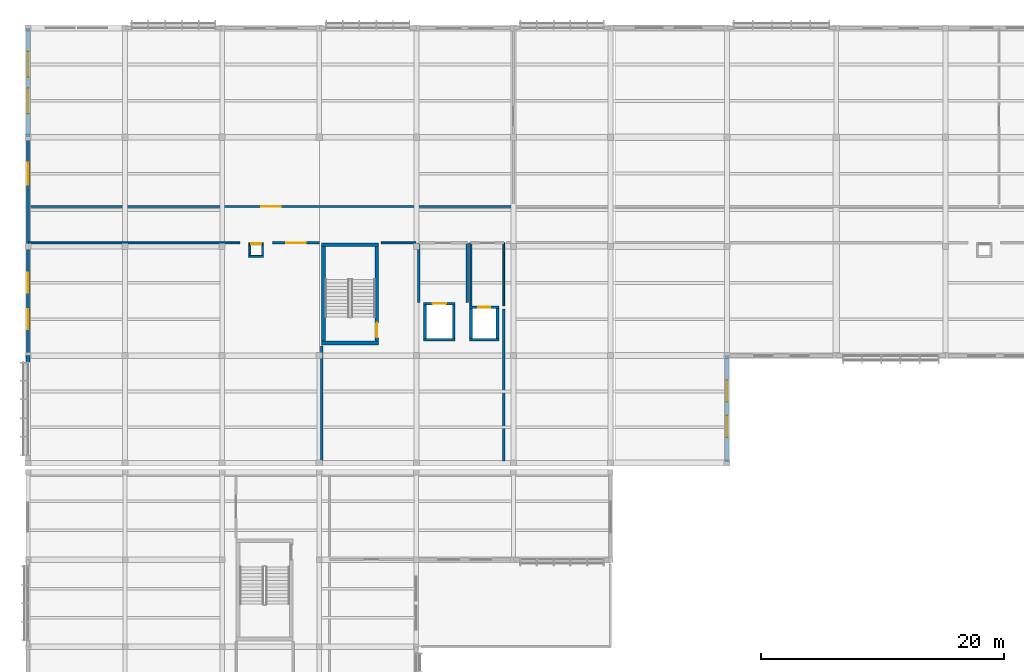
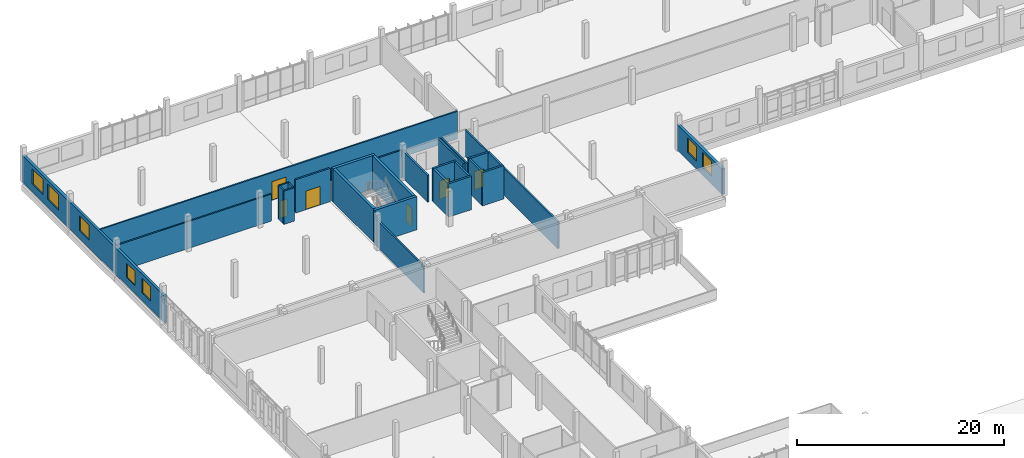
# One storey, part 167 of 182: 31 walls, 7 windows, 6 doors, 13 openings.
"""IFC4 building model written with IfcOpenShell, lengths in metres."""

from ifc_helpers import new_model, si_unit, direction, frame, frame_2d, origin, place, context, subcontext, project, spatial, rectangle, extrude, material, layer, layer_set, type_object, element, fill, save


model = new_model("IFC4")

# Units and contexts
model_context = context("Model", 3, precision=1e-05, world=origin(), true_north=direction((0.0, 1.0)))
body_context = subcontext(model_context, "Body", "Model", "MODEL_VIEW")
ifc_project = project(units=[si_unit("LENGTHUNIT", "METRE"), si_unit("AREAUNIT", "SQUARE_METRE"), si_unit("VOLUMEUNIT", "CUBIC_METRE"), si_unit("PLANEANGLEUNIT", "RADIAN"), si_unit("MASSUNIT", "GRAM", prefix="KILO")], contexts=[model_context])

# Site, building, storey
site_placement = place(None, origin())
site = spatial("IfcSite", under=ifc_project, at=site_placement, CompositionType="ELEMENT")
building_placement = place(site_placement, origin())
building = spatial("IfcBuilding", under=site, at=building_placement, Name="Chiffa Square Polytechnic", CompositionType="ELEMENT")
storey_placement = place(building_placement, frame((0.0, 0.0, 9.60009765625)))
storey = spatial("IfcBuildingStorey", under=building, at=storey_placement, Name="L02", CompositionType="ELEMENT", Elevation=9.60009765625)

# Walls
ifc_material_1 = material(Name="Concrete C40/50", Category="concrete")
ifc_layer_1 = layer(ifc_material_1, 0.300048828125, Name="Concrete C40/50")
ifc_layer_set_1 = layer_set([ifc_layer_1], Name="Concrete C40/50")
wall_type_1 = type_object("IfcWallType", Name="WL-CORE-300", PredefinedType="SHEAR", material=ifc_layer_set_1)
for number, where, z_axis, x_axis, name in (
    (1, (24.199951171875, 104.85009765625, 0.0), (0.0, 0.0, 1.0), (1.0, 0.0, 0.0), "Core or enclosure wall WC-CORE-V5A-L02-SOUTH"),
    (2, (24.199951171875, 112.949951171875, 0.0), (0.0, 0.0, 1.0), (1.0, 0.0, 0.0), "Core or enclosure wall WC-CORE-V5A-L02-NORTH"),
):
    element("IfcWall", number, at=place(storey_placement, frame(where, z_axis=z_axis, x_axis=x_axis)), inside=storey, type_object=wall_type_1, Name=name, PredefinedType="SHEAR", context=body_context, shape_type="SweptSolid", body=[
        extrude(rectangle(XDim=4.699951171875, YDim=0.300048828125, at=frame_2d((2.35009765625, 0.0))), origin(), (0.0, 0.0, 1.0), 3.93994140625),
    ])
wall_1_placement = place(storey_placement, frame((24.35009765625, 105.0, 0.0), z_axis=(0.0, 0.0, 1.0), x_axis=(0.0, 1.0, 0.0)))
element("IfcWall", 3, at=wall_1_placement, inside=storey, type_object=wall_type_1, Name="Core or enclosure wall WC-CORE-V5A-L02-WEST", PredefinedType="SHEAR", context=body_context, shape_type="SweptSolid", body=[
    extrude(rectangle(XDim=7.800048828125, YDim=0.300048828125, at=frame_2d((3.89990234375, 0.0))), origin(), (0.0, 0.0, 1.0), 3.93994140625),
])

# Wall, opening, door
wall_2_placement = place(storey_placement, frame((28.75, 105.0, 0.0), z_axis=(0.0, 0.0, 1.0), x_axis=(0.0, 1.0, 0.0)))
wall_2 = element("IfcWall", 4, at=wall_2_placement, inside=storey, type_object=wall_type_1, Name="Core or enclosure wall WC-CORE-V5A-L02-EAST", PredefinedType="SHEAR", context=body_context, shape_type="SweptSolid", body=[
    extrude(rectangle(XDim=7.800048828125, YDim=0.300048828125, at=frame_2d((3.89990234375, 0.0))), origin(), (0.0, 0.0, 1.0), 3.93994140625),
])
opening_1_placement = place(wall_2_placement, frame((0.300048828125, 0.0, 0.0)))
opening_1 = element("IfcOpeningElement", 5, at=opening_1_placement, cuts=wall_2, Name="Opening DS-L02-034", PredefinedType="OPENING", context=body_context, shape_type="SweptSolid", body=[
    extrude(rectangle(XDim=1.199951171875, YDim=2.14990234375, at=frame_2d((0.60009765625, 1.074951171875))), frame((0.0, 0.16015625, 0.0), z_axis=(0.0, -1.0, 0.0), x_axis=(1.0, 0.0, 0.0)), (0.0, 0.0, 1.0), 0.320068359375),
])
ifc_material_2 = material(Name="Fire-rated painted steel leaf", Category="steel")
door_type_1 = type_object("IfcDoorType", Name="DR-STAIR-1200", OperationType="NOTDEFINED", PredefinedType="DOOR", material=ifc_material_2)
door_1_placement = place(opening_1_placement, origin())
door_1 = element("IfcDoor", 6, at=door_1_placement, inside=storey, type_object=door_type_1, Name="Enclosure door DS-L02-034", OperationType="SINGLE_SWING_RIGHT", OverallHeight=2.14990234375, OverallWidth=1.199951171875, PredefinedType="DOOR", context=body_context, shape_type="SweptSolid", body=[
    extrude(rectangle(XDim=1.199951171875, YDim=2.14990234375, at=frame_2d((0.60009765625, 1.074951171875))), frame((0.0, 0.02490234375, 0.0), z_axis=(0.0, -1.0, 0.0), x_axis=(1.0, 0.0, 0.0)), (0.0, 0.0, 1.0), 0.050048828125),
])
fill(opening_1, door_1)

# Wall, opening, window
ifc_material_3 = material(Name="Precast concrete C40/50", Category="concrete")
ifc_layer_2 = layer(ifc_material_3, 0.260009765625, Name="Precast concrete C40/50")
ifc_layer_set_2 = layer_set([ifc_layer_2], Name="Precast concrete C40/50")
wall_type_2 = type_object("IfcWallType", Name="WL-EXT-PC260", PredefinedType="SOLIDWALL", material=ifc_layer_set_2)
wall_3_placement = place(storey_placement, frame((0.0, 121.800048828125, 0.0), z_axis=(0.0, 0.0, 1.0), x_axis=(0.0, -1.0, 0.0)))
wall_3 = element("IfcWall", 7, at=wall_3_placement, inside=storey, type_object=wall_type_2, Name="Exterior wall WE-V5-L02-0325", PredefinedType="SOLIDWALL", context=body_context, shape_type="SweptSolid", body=[
    extrude(rectangle(XDim=9.0, YDim=0.260009765625, at=frame_2d((4.5, 0.0))), origin(), (0.0, 0.0, 1.0), 3.1748046875),
])
opening_2_placement = place(wall_3_placement, frame((2.10009765625, 0.0, 0.949951171875)))
opening_2 = element("IfcOpeningElement", 8, at=opening_2_placement, cuts=wall_3, Name="Opening W-05", PredefinedType="OPENING", context=body_context, shape_type="SweptSolid", body=[
    extrude(rectangle(XDim=1.800048828125, YDim=1.75, at=frame_2d((0.89990234375, 0.875))), frame((0.0, 0.14013671875, 0.0), z_axis=(0.0, -1.0, 0.0), x_axis=(1.0, 0.0, 0.0)), (0.0, 0.0, 1.0), 0.280029296875),
])
ifc_material_4 = material(Name="Double glazing in thermally broken aluminium frame", Category="aluminium")
window_type_1 = type_object("IfcWindowType", Name="WIN-LAB-1800X1750", PartitioningType="DOUBLE_PANEL_VERTICAL", PredefinedType="WINDOW", material=ifc_material_4)
window_1_placement = place(opening_2_placement, origin())
window_1 = element("IfcWindow", 9, at=window_1_placement, inside=storey, type_object=window_type_1, Name="Facade window WN-L02-0221", OverallHeight=1.75, OverallWidth=1.800048828125, PartitioningType="DOUBLE_PANEL_VERTICAL", PredefinedType="WINDOW", context=body_context, shape_type="SweptSolid", body=[
    extrude(rectangle(XDim=1.800048828125, YDim=1.75, at=frame_2d((0.89990234375, 0.875))), frame((0.0, 0.030029296875, 0.0), z_axis=(0.0, -1.0, 0.0), x_axis=(1.0, 0.0, 0.0)), (0.0, 0.0, 1.0), 0.06005859375),
])
fill(opening_2, window_1)

# Wall, openings, windows
ifc_layer_3 = layer(ifc_material_3, 0.280029296875, Name="Precast concrete C40/50")
ifc_layer_set_3 = layer_set([ifc_layer_3], Name="Precast concrete C40/50")
wall_type_3 = type_object("IfcWallType", Name="WL-EXT-PC280", PredefinedType="SOLIDWALL", material=ifc_layer_set_3)
wall_4_placement = place(storey_placement, frame((0.0, 112.800048828125, 0.0), z_axis=(0.0, 0.0, 1.0), x_axis=(0.0, -1.0, 0.0)))
wall_4 = element("IfcWall", 10, at=wall_4_placement, inside=storey, type_object=wall_type_3, Name="Exterior wall WE-V5-L02-0326", PredefinedType="SOLIDWALL", context=body_context, shape_type="SweptSolid", body=[
    extrude(rectangle(XDim=9.0, YDim=0.280029296875, at=frame_2d((4.5, 0.0))), origin(), (0.0, 0.0, 1.0), 3.1748046875),
])
opening_3_placement = place(wall_4_placement, frame((2.175048828125, 0.0, 0.949951171875)))
opening_3 = element("IfcOpeningElement", 11, at=opening_3_placement, cuts=wall_4, Name="Opening W-06", PredefinedType="OPENING", context=body_context, shape_type="SweptSolid", body=[
    extrude(rectangle(XDim=1.64990234375, YDim=1.699951171875, at=frame_2d((0.824951171875, 0.85009765625))), frame((0.0, 0.14990234375, 0.0), z_axis=(0.0, -1.0, 0.0), x_axis=(1.0, 0.0, 0.0)), (0.0, 0.0, 1.0), 0.300048828125),
])
opening_4_placement = place(wall_4_placement, frame((5.175048828125, 0.0, 0.949951171875)))
opening_4 = element("IfcOpeningElement", 12, at=opening_4_placement, cuts=wall_4, Name="Opening W-06", PredefinedType="OPENING", context=body_context, shape_type="SweptSolid", body=[
    extrude(rectangle(XDim=1.64990234375, YDim=1.699951171875, at=frame_2d((0.824951171875, 0.85009765625))), frame((0.0, 0.14990234375, 0.0), z_axis=(0.0, -1.0, 0.0), x_axis=(1.0, 0.0, 0.0)), (0.0, 0.0, 1.0), 0.300048828125),
])
window_type_2 = type_object("IfcWindowType", Name="WIN-LAB-1650X1700", PartitioningType="DOUBLE_PANEL_VERTICAL", PredefinedType="WINDOW", material=ifc_material_4)
window_2_placement = place(opening_3_placement, origin())
window_2 = element("IfcWindow", 13, at=window_2_placement, inside=storey, type_object=window_type_2, Name="Facade window WN-L02-0222", OverallHeight=1.699951171875, OverallWidth=1.64990234375, PartitioningType="DOUBLE_PANEL_VERTICAL", PredefinedType="WINDOW", context=body_context, shape_type="SweptSolid", body=[
    extrude(rectangle(XDim=1.64990234375, YDim=1.699951171875, at=frame_2d((0.824951171875, 0.85009765625))), frame((0.0, 0.030029296875, 0.0), z_axis=(0.0, -1.0, 0.0), x_axis=(1.0, 0.0, 0.0)), (0.0, 0.0, 1.0), 0.06005859375),
])
fill(opening_3, window_2)
window_3_placement = place(opening_4_placement, origin())
window_3 = element("IfcWindow", 14, at=window_3_placement, inside=storey, type_object=window_type_2, Name="Facade window WN-L02-0223", OverallHeight=1.699951171875, OverallWidth=1.64990234375, PartitioningType="DOUBLE_PANEL_VERTICAL", PredefinedType="WINDOW", context=body_context, shape_type="SweptSolid", body=[
    extrude(rectangle(XDim=1.64990234375, YDim=1.699951171875, at=frame_2d((0.824951171875, 0.85009765625))), frame((0.0, 0.030029296875, 0.0), z_axis=(0.0, -1.0, 0.0), x_axis=(1.0, 0.0, 0.0)), (0.0, 0.0, 1.0), 0.06005859375),
])
fill(opening_4, window_3)

ifc_layer_4 = layer(ifc_material_3, 0.320068359375, Name="Precast concrete C40/50")
ifc_layer_set_4 = layer_set([ifc_layer_4], Name="Precast concrete C40/50")
wall_type_4 = type_object("IfcWallType", Name="WL-EXT-PC320", PredefinedType="SOLIDWALL", material=ifc_layer_set_4)
wall_5_placement = place(storey_placement, frame((57.60009765625, 95.050048828125, 0.0), z_axis=(0.0, 0.0, 1.0), x_axis=(0.0, 1.0, 0.0)))
wall_5 = element("IfcWall", 15, at=wall_5_placement, inside=storey, type_object=wall_type_4, Name="Exterior wall WE-V5-L02-0294", PredefinedType="SOLIDWALL", context=body_context, shape_type="SweptSolid", body=[
    extrude(rectangle(XDim=8.75, YDim=0.320068359375, at=frame_2d((4.375, 0.0))), origin(), (0.0, 0.0, 1.0), 3.02490234375),
])
opening_5_placement = place(wall_5_placement, frame((2.01708984375, 0.0, 0.949951171875)))
opening_5 = element("IfcOpeningElement", 16, at=opening_5_placement, cuts=wall_5, Name="Opening W-05", PredefinedType="OPENING", context=body_context, shape_type="SweptSolid", body=[
    extrude(rectangle(XDim=1.800048828125, YDim=1.75, at=frame_2d((0.89990234375, 0.875))), frame((0.0, 0.169921875, 0.0), z_axis=(0.0, -1.0, 0.0), x_axis=(1.0, 0.0, 0.0)), (0.0, 0.0, 1.0), 0.340087890625),
])
opening_6_placement = place(wall_5_placement, frame((4.93310546875, 0.0, 0.949951171875)))
opening_6 = element("IfcOpeningElement", 17, at=opening_6_placement, cuts=wall_5, Name="Opening W-05", PredefinedType="OPENING", context=body_context, shape_type="SweptSolid", body=[
    extrude(rectangle(XDim=1.800048828125, YDim=1.75, at=frame_2d((0.89990234375, 0.875))), frame((0.0, 0.169921875, 0.0), z_axis=(0.0, -1.0, 0.0), x_axis=(1.0, 0.0, 0.0)), (0.0, 0.0, 1.0), 0.340087890625),
])
window_4_placement = place(opening_5_placement, origin())
window_4 = element("IfcWindow", 18, at=window_4_placement, inside=storey, type_object=window_type_1, Name="Facade window WN-L02-0186", OverallHeight=1.75, OverallWidth=1.800048828125, PartitioningType="DOUBLE_PANEL_VERTICAL", PredefinedType="WINDOW", context=body_context, shape_type="SweptSolid", body=[
    extrude(rectangle(XDim=1.800048828125, YDim=1.75, at=frame_2d((0.89990234375, 0.875))), frame((0.0, 0.030029296875, 0.0), z_axis=(0.0, -1.0, 0.0), x_axis=(1.0, 0.0, 0.0)), (0.0, 0.0, 1.0), 0.06005859375),
])
fill(opening_5, window_4)
window_5_placement = place(opening_6_placement, origin())
window_5 = element("IfcWindow", 19, at=window_5_placement, inside=storey, type_object=window_type_1, Name="Facade window WN-L02-0187", OverallHeight=1.75, OverallWidth=1.800048828125, PartitioningType="DOUBLE_PANEL_VERTICAL", PredefinedType="WINDOW", context=body_context, shape_type="SweptSolid", body=[
    extrude(rectangle(XDim=1.800048828125, YDim=1.75, at=frame_2d((0.89990234375, 0.875))), frame((0.0, 0.030029296875, 0.0), z_axis=(0.0, -1.0, 0.0), x_axis=(1.0, 0.0, 0.0)), (0.0, 0.0, 1.0), 0.06005859375),
])
fill(opening_6, window_5)

wall_6_placement = place(storey_placement, frame((0.0, 130.800048828125, 0.0), z_axis=(0.0, 0.0, 1.0), x_axis=(0.0, -1.0, 0.0)))
wall_6 = element("IfcWall", 20, at=wall_6_placement, inside=storey, type_object=wall_type_4, Name="Exterior wall WE-V5-L02-0324", PredefinedType="SOLIDWALL", context=body_context, shape_type="SweptSolid", body=[
    extrude(rectangle(XDim=9.0, YDim=0.320068359375, at=frame_2d((4.5, 0.0))), origin(), (0.0, 0.0, 1.0), 3.1748046875),
])
opening_7_placement = place(wall_6_placement, frame((1.949951171875, 0.0, 0.949951171875)))
opening_7 = element("IfcOpeningElement", 21, at=opening_7_placement, cuts=wall_6, Name="Opening W-03", PredefinedType="OPENING", context=body_context, shape_type="SweptSolid", body=[
    extrude(rectangle(XDim=2.10009765625, YDim=1.800048828125, at=frame_2d((1.050048828125, 0.89990234375))), frame((0.0, 0.169921875, 0.0), z_axis=(0.0, -1.0, 0.0), x_axis=(1.0, 0.0, 0.0)), (0.0, 0.0, 1.0), 0.340087890625),
])
opening_8_placement = place(wall_6_placement, frame((4.949951171875, 0.0, 0.949951171875)))
opening_8 = element("IfcOpeningElement", 22, at=opening_8_placement, cuts=wall_6, Name="Opening W-03", PredefinedType="OPENING", context=body_context, shape_type="SweptSolid", body=[
    extrude(rectangle(XDim=2.10009765625, YDim=1.800048828125, at=frame_2d((1.050048828125, 0.89990234375))), frame((0.0, 0.169921875, 0.0), z_axis=(0.0, -1.0, 0.0), x_axis=(1.0, 0.0, 0.0)), (0.0, 0.0, 1.0), 0.340087890625),
])
window_type_3 = type_object("IfcWindowType", Name="WIN-LAB-2100X1800", PartitioningType="DOUBLE_PANEL_VERTICAL", PredefinedType="WINDOW", material=ifc_material_4)
window_6_placement = place(opening_7_placement, origin())
window_6 = element("IfcWindow", 23, at=window_6_placement, inside=storey, type_object=window_type_3, Name="Facade window WN-L02-0219", OverallHeight=1.800048828125, OverallWidth=2.10009765625, PartitioningType="DOUBLE_PANEL_VERTICAL", PredefinedType="WINDOW", context=body_context, shape_type="SweptSolid", body=[
    extrude(rectangle(XDim=2.10009765625, YDim=1.800048828125, at=frame_2d((1.050048828125, 0.89990234375))), frame((0.0, 0.030029296875, 0.0), z_axis=(0.0, -1.0, 0.0), x_axis=(1.0, 0.0, 0.0)), (0.0, 0.0, 1.0), 0.06005859375),
])
fill(opening_7, window_6)
window_7_placement = place(opening_8_placement, origin())
window_7 = element("IfcWindow", 24, at=window_7_placement, inside=storey, type_object=window_type_3, Name="Facade window WN-L02-0220", OverallHeight=1.800048828125, OverallWidth=2.10009765625, PartitioningType="DOUBLE_PANEL_VERTICAL", PredefinedType="WINDOW", context=body_context, shape_type="SweptSolid", body=[
    extrude(rectangle(XDim=2.10009765625, YDim=1.800048828125, at=frame_2d((1.050048828125, 0.89990234375))), frame((0.0, 0.030029296875, 0.0), z_axis=(0.0, -1.0, 0.0), x_axis=(1.0, 0.0, 0.0)), (0.0, 0.0, 1.0), 0.06005859375),
])
fill(opening_8, window_7)

# Walls
wall_7_placement = place(storey_placement, frame((0.0, 103.800048828125, 0.0), z_axis=(0.0, 0.0, 1.0), x_axis=(0.0, -1.0, 0.0)))
element("IfcWall", 25, at=wall_7_placement, inside=storey, type_object=wall_type_4, Name="Facade column pier V5-L02-0327L", PredefinedType="SOLIDWALL", context=body_context, shape_type="SweptSolid", body=[
    extrude(rectangle(XDim=0.5400390625, YDim=0.320068359375, at=frame_2d((0.27001953125, 0.0))), origin(), (0.0, 0.0, 1.0), 3.1748046875),
])
ifc_material_5 = material(Name="Autoclaved aerated concrete blockwork", Category="masonry")
ifc_layer_5 = layer(ifc_material_5, 0.199951171875, Name="Autoclaved aerated concrete blockwork")
ifc_layer_set_5 = layer_set([ifc_layer_5], Name="Autoclaved aerated concrete blockwork")
wall_type_5 = type_object("IfcWallType", Name="WL-PART-EI120-200", PredefinedType="PARTITIONING", material=ifc_layer_set_5)
for number, where, z_axis, x_axis, name in (
    (26, (32.199951171875, 108.199951171875, 0.0), (0.0, 0.0, 1.0), (0.0, 1.0, 0.0), "Lift lobby rated enclosure WP-LOB-LF-V5-L02-WEST"),
    (27, (36.199951171875, 108.199951171875, 0.0), (0.0, 0.0, 1.0), (0.0, 1.0, 0.0), "Lift lobby rated enclosure WP-LOB-LF-V5-L02-EAST"),
):
    element("IfcWall", number, at=place(storey_placement, frame(where, z_axis=z_axis, x_axis=x_axis)), inside=storey, type_object=wall_type_5, Name=name, PredefinedType="PARTITIONING", context=body_context, shape_type="SweptSolid", body=[
        extrude(rectangle(XDim=4.900146484375, YDim=0.199951171875, at=frame_2d((2.4501953125, 0.0))), origin(), (0.0, 0.0, 1.0), 3.1748046875),
    ])
ifc_material_6 = material(Name="Gypsum board on acoustic steel stud", Category="steel")
ifc_layer_6 = layer(ifc_material_6, 0.159912109375, Name="Gypsum board on acoustic steel stud")
ifc_layer_set_6 = layer_set([ifc_layer_6], Name="Gypsum board on acoustic steel stud")
wall_type_6 = type_object("IfcWallType", Name="WL-PART-EI60-160", PredefinedType="PARTITIONING", material=ifc_layer_set_6)
wall_8_placement = place(storey_placement, frame((18.199951171875, 111.97998046875, 0.0), z_axis=(0.0, 0.0, 1.0), x_axis=(1.0, 0.0, 0.0)))
element("IfcWall", 28, at=wall_8_placement, inside=storey, type_object=wall_type_6, Name="Core or enclosure wall WP-RSR-V5-W-L02-SOUTH", PredefinedType="PARTITIONING", context=body_context, shape_type="SweptSolid", body=[
    extrude(rectangle(XDim=1.199951171875, YDim=0.159912109375, at=frame_2d((0.60009765625, 0.0))), origin(), (0.0, 0.0, 1.0), 3.93994140625),
])

# Wall, opening, door
wall_9_placement = place(storey_placement, frame((18.199951171875, 113.02001953125, 0.0), z_axis=(0.0, 0.0, 1.0), x_axis=(1.0, 0.0, 0.0)))
wall_9 = element("IfcWall", 29, at=wall_9_placement, inside=storey, type_object=wall_type_6, Name="Core or enclosure wall WP-RSR-V5-W-L02-NORTH", PredefinedType="PARTITIONING", context=body_context, shape_type="SweptSolid", body=[
    extrude(rectangle(XDim=1.199951171875, YDim=0.159912109375, at=frame_2d((0.60009765625, 0.0))), origin(), (0.0, 0.0, 1.0), 3.93994140625),
])
opening_9_placement = place(wall_9_placement, frame((0.175048828125, 0.0, 0.0)))
opening_9 = element("IfcOpeningElement", 30, at=opening_9_placement, cuts=wall_9, Name="Opening DI-L02-R04", PredefinedType="OPENING", context=body_context, shape_type="SweptSolid", body=[
    extrude(rectangle(XDim=0.85009765625, YDim=2.02001953125, at=frame_2d((0.425048828125, 1.010009765625))), frame((0.0, 0.08984375, 0.0), z_axis=(0.0, -1.0, 0.0), x_axis=(1.0, 0.0, 0.0)), (0.0, 0.0, 1.0), 0.179931640625),
])
ifc_material_7 = material(Name="Fire-rated steel riser access door", Category="steel")
door_type_2 = type_object("IfcDoorType", Name="DR-RISER-850", OperationType="NOTDEFINED", PredefinedType="DOOR", material=ifc_material_7)
door_2_placement = place(opening_9_placement, origin())
door_2 = element("IfcDoor", 31, at=door_2_placement, inside=storey, type_object=door_type_2, Name="Enclosure door DI-L02-R04", OperationType="SINGLE_SWING_RIGHT", OverallHeight=2.02001953125, OverallWidth=0.85009765625, PredefinedType="DOOR", context=body_context, shape_type="SweptSolid", body=[
    extrude(rectangle(XDim=0.85009765625, YDim=2.02001953125, at=frame_2d((0.425048828125, 1.010009765625))), frame((0.0, 0.02490234375, 0.0), z_axis=(0.0, -1.0, 0.0), x_axis=(1.0, 0.0, 0.0)), (0.0, 0.0, 1.0), 0.050048828125),
])
fill(opening_9, door_2)

# Walls
for number, where, z_axis, x_axis, name in (
    (32, (18.280029296875, 112.06005859375, 0.0), (0.0, 0.0, 1.0), (0.0, 1.0, 0.0), "Core or enclosure wall WP-RSR-V5-W-L02-WEST"),
    (33, (19.320068359375, 112.06005859375, 0.0), (0.0, 0.0, 1.0), (0.0, 1.0, 0.0), "Core or enclosure wall WP-RSR-V5-W-L02-EAST"),
):
    element("IfcWall", number, at=place(storey_placement, frame(where, z_axis=z_axis, x_axis=x_axis)), inside=storey, type_object=wall_type_6, Name=name, PredefinedType="PARTITIONING", context=body_context, shape_type="SweptSolid", body=[
        extrude(rectangle(XDim=0.8798828125, YDim=0.159912109375, at=frame_2d((0.43994140625, 0.0))), origin(), (0.0, 0.0, 1.0), 3.93994140625),
    ])
for number, where, z_axis, x_axis, name in (
    (34, (36.5, 107.89990234375, 0.0), (0.0, 0.0, 1.0), (0.0, 1.0, 0.0), "Lift lobby rated enclosure WP-LOB-LP-V5A-L02-WEST"),
    (35, (39.199951171875, 107.89990234375, 0.0), (0.0, 0.0, 1.0), (0.0, 1.0, 0.0), "Lift lobby rated enclosure WP-LOB-LP-V5A-L02-EAST"),
):
    element("IfcWall", number, at=place(storey_placement, frame(where, z_axis=z_axis, x_axis=x_axis)), inside=storey, type_object=wall_type_6, Name=name, PredefinedType="PARTITIONING", context=body_context, shape_type="SweptSolid", body=[
        extrude(rectangle(XDim=5.2001953125, YDim=0.159912109375, at=frame_2d((2.60009765625, 0.0))), origin(), (0.0, 0.0, 1.0), 3.1748046875),
    ])
wall_10_placement = place(storey_placement, frame((0.054931640625, 113.10009765625, 0.0), z_axis=(0.0, 0.0, 1.0), x_axis=(1.0, 0.0, 0.0)))
element("IfcWall", 36, at=wall_10_placement, inside=storey, type_object=wall_type_6, Name="Interior partition WP-V5-L02-0469", PredefinedType="PARTITIONING", context=body_context, shape_type="SweptSolid", body=[
    extrude(rectangle(XDim=17.399169921875, YDim=0.159912109375, at=frame_2d((8.69970703125, 0.0))), origin(), (0.0, 0.0, 1.0), 3.1748046875),
])

# Wall, opening, door
wall_11_placement = place(storey_placement, frame((0.054931640625, 116.10009765625, 0.0), z_axis=(0.0, 0.0, 1.0), x_axis=(1.0, 0.0, 0.0)))
wall_11 = element("IfcWall", 37, at=wall_11_placement, inside=storey, type_object=wall_type_6, Name="Interior partition WP-V5-L02-0475", PredefinedType="PARTITIONING", context=body_context, shape_type="SweptSolid", body=[
    extrude(rectangle(XDim=39.945068359375, YDim=0.159912109375, at=frame_2d((19.97265625, 0.0))), origin(), (0.0, 0.0, 1.0), 3.27490234375),
])
opening_10_placement = place(wall_11_placement, frame((19.172119140625, 0.0, 0.0)))
opening_10 = element("IfcOpeningElement", 38, at=opening_10_placement, cuts=wall_11, Name="Opening DI-L02-185", PredefinedType="OPENING", context=body_context, shape_type="SweptSolid", body=[
    extrude(rectangle(XDim=1.60009765625, YDim=2.199951171875, at=frame_2d((0.800048828125, 1.10009765625))), frame((0.0, 0.08984375, 0.0), z_axis=(0.0, -1.0, 0.0), x_axis=(1.0, 0.0, 0.0)), (0.0, 0.0, 1.0), 0.179931640625),
])
ifc_material_8 = material(Name="Vision-panel timber laboratory door", Category="wood")
door_type_3 = type_object("IfcDoorType", Name="DR-LAB-DBL-1600", OperationType="DOUBLE_DOOR_SINGLE_SWING", PredefinedType="DOOR", material=ifc_material_8)
door_3_placement = place(opening_10_placement, origin())
door_3 = element("IfcDoor", 39, at=door_3_placement, inside=storey, type_object=door_type_3, Name="Interior room door DI-L02-185", OperationType="DOUBLE_DOOR_SINGLE_SWING", OverallHeight=2.199951171875, OverallWidth=1.60009765625, PredefinedType="DOOR", context=body_context, shape_type="SweptSolid", body=[
    extrude(rectangle(XDim=1.60009765625, YDim=2.199951171875, at=frame_2d((0.800048828125, 1.10009765625))), frame((0.0, 0.02490234375, 0.0), z_axis=(0.0, -1.0, 0.0), x_axis=(1.0, 0.0, 0.0)), (0.0, 0.0, 1.0), 0.050048828125),
])
fill(opening_10, door_3)

# Wall
wall_12_placement = place(storey_placement, frame((29.0869140625, 113.10009765625, 0.0), z_axis=(0.0, 0.0, 1.0), x_axis=(1.0, 0.0, 0.0)))
element("IfcWall", 40, at=wall_12_placement, inside=storey, type_object=wall_type_6, Name="Interior partition WP-V5-L02-0498", PredefinedType="PARTITIONING", context=body_context, shape_type="SweptSolid", body=[
    extrude(rectangle(XDim=2.873046875, YDim=0.159912109375, at=frame_2d((1.4365234375, 0.0))), origin(), (0.0, 0.0, 1.0), 3.27490234375),
])

# Wall, opening, door
ifc_material_9 = material(Name="Gypsum board on twin steel stud", Category="steel")
ifc_layer_7 = layer(ifc_material_9, 0.18505859375, Name="Gypsum board on twin steel stud")
ifc_layer_set_7 = layer_set([ifc_layer_7], Name="Gypsum board on twin steel stud")
wall_type_7 = type_object("IfcWallType", Name="WL-PART-EI90-185", PredefinedType="PARTITIONING", material=ifc_layer_set_7)
wall_13_placement = place(storey_placement, frame((20.14599609375, 113.10009765625, 0.0), z_axis=(0.0, 0.0, 1.0), x_axis=(1.0, 0.0, 0.0)))
wall_13 = element("IfcWall", 41, at=wall_13_placement, inside=storey, type_object=wall_type_7, Name="Interior partition WP-V5-L02-0468", PredefinedType="PARTITIONING", context=body_context, shape_type="SweptSolid", body=[
    extrude(rectangle(XDim=3.866943359375, YDim=0.18505859375, at=frame_2d((1.93359375, 0.0))), origin(), (0.0, 0.0, 1.0), 3.93994140625),
])
opening_11_placement = place(wall_13_placement, frame((1.134033203125, 0.0, 0.0)))
opening_11 = element("IfcOpeningElement", 42, at=opening_11_placement, cuts=wall_13, Name="Opening DI-L02-184", PredefinedType="OPENING", context=body_context, shape_type="SweptSolid", body=[
    extrude(rectangle(XDim=1.60009765625, YDim=2.199951171875, at=frame_2d((0.800048828125, 1.10009765625))), frame((0.0, 0.1025390625, 0.0), z_axis=(0.0, -1.0, 0.0), x_axis=(1.0, 0.0, 0.0)), (0.0, 0.0, 1.0), 0.205078125),
])
door_4_placement = place(opening_11_placement, origin())
door_4 = element("IfcDoor", 43, at=door_4_placement, inside=storey, type_object=door_type_3, Name="Interior room door DI-L02-184", OperationType="DOUBLE_DOOR_SINGLE_SWING", OverallHeight=2.199951171875, OverallWidth=1.60009765625, PredefinedType="DOOR", context=body_context, shape_type="SweptSolid", body=[
    extrude(rectangle(XDim=1.60009765625, YDim=2.199951171875, at=frame_2d((0.800048828125, 1.10009765625))), frame((0.0, 0.02490234375, 0.0), z_axis=(0.0, -1.0, 0.0), x_axis=(1.0, 0.0, 0.0)), (0.0, 0.0, 1.0), 0.050048828125),
])
fill(opening_11, door_4)

# Walls
wall_14_placement = place(storey_placement, frame((24.199951171875, 95.10498046875, 0.0), z_axis=(0.0, 0.0, 1.0), x_axis=(0.0, 1.0, 0.0)))
element("IfcWall", 44, at=wall_14_placement, inside=storey, type_object=wall_type_7, Name="Interior partition WP-V5-L02-0470", PredefinedType="PARTITIONING", context=body_context, shape_type="SweptSolid", body=[
    extrude(rectangle(XDim=9.505126953125, YDim=0.18505859375, at=frame_2d((4.75244140625, 0.0))), origin(), (0.0, 0.0, 1.0), 3.1748046875),
])
wall_15_placement = place(storey_placement, frame((39.199951171875, 95.10498046875, 0.0), z_axis=(0.0, 0.0, 1.0), x_axis=(0.0, 1.0, 0.0)))
element("IfcWall", 45, at=wall_15_placement, inside=storey, type_object=wall_type_7, Name="Interior partition WP-V5-L02-0474", PredefinedType="PARTITIONING", context=body_context, shape_type="SweptSolid", body=[
    extrude(rectangle(XDim=12.554931640625, YDim=0.18505859375, at=frame_2d((6.27734375, 0.0))), origin(), (0.0, 0.0, 1.0), 3.1748046875),
])
ifc_material_10 = material(Name="Concrete C35/45", Category="concrete")
ifc_layer_8 = layer(ifc_material_10, 0.219970703125, Name="Concrete C35/45")
ifc_layer_set_8 = layer_set([ifc_layer_8], Name="Concrete C35/45")
wall_type_8 = type_object("IfcWallType", Name="WL-SHAFT-220", PredefinedType="SHEAR", material=ifc_layer_set_8)
wall_16_placement = place(storey_placement, frame((32.60009765625, 105.110107421875, 0.0), z_axis=(0.0, 0.0, 1.0), x_axis=(1.0, 0.0, 0.0)))
element("IfcWall", 46, at=wall_16_placement, inside=storey, type_object=wall_type_8, Name="Core or enclosure wall WS-LF-V5-L02-SOUTH", PredefinedType="SHEAR", context=body_context, shape_type="SweptSolid", body=[
    extrude(rectangle(XDim=2.599853515625, YDim=0.219970703125, at=frame_2d((1.2998046875, 0.0))), origin(), (0.0, 0.0, 1.0), 3.93994140625),
])

# Wall, opening, door
wall_17_placement = place(storey_placement, frame((32.60009765625, 108.090087890625, 0.0), z_axis=(0.0, 0.0, 1.0), x_axis=(1.0, 0.0, 0.0)))
wall_17 = element("IfcWall", 47, at=wall_17_placement, inside=storey, type_object=wall_type_8, Name="Core or enclosure wall WS-LF-V5-L02-NORTH", PredefinedType="SHEAR", context=body_context, shape_type="SweptSolid", body=[
    extrude(rectangle(XDim=2.599853515625, YDim=0.219970703125, at=frame_2d((1.2998046875, 0.0))), origin(), (0.0, 0.0, 1.0), 3.93994140625),
])
opening_12_placement = place(wall_17_placement, frame((0.75, 0.0, 0.0)))
opening_12 = element("IfcOpeningElement", 48, at=opening_12_placement, cuts=wall_17, Name="Opening LD-LF-V5-L02", PredefinedType="OPENING", context=body_context, shape_type="SweptSolid", body=[
    extrude(rectangle(XDim=1.10009765625, YDim=2.14990234375, at=frame_2d((0.550048828125, 1.074951171875))), frame((0.0, 0.1201171875, 0.0), z_axis=(0.0, -1.0, 0.0), x_axis=(1.0, 0.0, 0.0)), (0.0, 0.0, 1.0), 0.239990234375),
])
ifc_material_11 = material(Name="Brushed stainless steel sliding landing door", Category="steel")
door_type_4 = type_object("IfcDoorType", Name="DR-LIFT-1100", OperationType="SLIDING_TO_LEFT", PredefinedType="DOOR", material=ifc_material_11)
door_5_placement = place(opening_12_placement, origin())
door_5 = element("IfcDoor", 49, at=door_5_placement, inside=storey, type_object=door_type_4, Name="Enclosure door LD-LF-V5-L02", OperationType="SLIDING_TO_LEFT", OverallHeight=2.14990234375, OverallWidth=1.10009765625, PredefinedType="DOOR", context=body_context, shape_type="SweptSolid", body=[
    extrude(rectangle(XDim=1.10009765625, YDim=2.14990234375, at=frame_2d((0.550048828125, 1.074951171875))), frame((0.0, 0.02490234375, 0.0), z_axis=(0.0, -1.0, 0.0), x_axis=(1.0, 0.0, 0.0)), (0.0, 0.0, 1.0), 0.050048828125),
])
fill(opening_12, door_5)

# Walls
for number, where, z_axis, x_axis, name in (
    (50, (32.7099609375, 105.219970703125, 0.0), (0.0, 0.0, 1.0), (0.0, 1.0, 0.0), "Core or enclosure wall WS-LF-V5-L02-WEST"),
    (51, (35.090087890625, 105.219970703125, 0.0), (0.0, 0.0, 1.0), (0.0, 1.0, 0.0), "Core or enclosure wall WS-LF-V5-L02-EAST"),
):
    element("IfcWall", number, at=place(storey_placement, frame(where, z_axis=z_axis, x_axis=x_axis)), inside=storey, type_object=wall_type_8, Name=name, PredefinedType="SHEAR", context=body_context, shape_type="SweptSolid", body=[
        extrude(rectangle(XDim=2.760009765625, YDim=0.219970703125, at=frame_2d((1.3798828125, 0.0))), origin(), (0.0, 0.0, 1.0), 3.93994140625),
    ])
wall_18_placement = place(storey_placement, frame((36.39990234375, 105.110107421875, 0.0), z_axis=(0.0, 0.0, 1.0), x_axis=(1.0, 0.0, 0.0)))
element("IfcWall", 52, at=wall_18_placement, inside=storey, type_object=wall_type_8, Name="Core or enclosure wall WS-LP-V5A-L02-SOUTH", PredefinedType="SHEAR", context=body_context, shape_type="SweptSolid", body=[
    extrude(rectangle(XDim=2.400146484375, YDim=0.219970703125, at=frame_2d((1.2001953125, 0.0))), origin(), (0.0, 0.0, 1.0), 3.93994140625),
])

# Wall, opening, door
wall_19_placement = place(storey_placement, frame((36.39990234375, 107.7900390625, 0.0), z_axis=(0.0, 0.0, 1.0), x_axis=(1.0, 0.0, 0.0)))
wall_19 = element("IfcWall", 53, at=wall_19_placement, inside=storey, type_object=wall_type_8, Name="Core or enclosure wall WS-LP-V5A-L02-NORTH", PredefinedType="SHEAR", context=body_context, shape_type="SweptSolid", body=[
    extrude(rectangle(XDim=2.400146484375, YDim=0.219970703125, at=frame_2d((1.2001953125, 0.0))), origin(), (0.0, 0.0, 1.0), 3.93994140625),
])
opening_13_placement = place(wall_19_placement, frame((0.699951171875, 0.0, 0.0)))
opening_13 = element("IfcOpeningElement", 54, at=opening_13_placement, cuts=wall_19, Name="Opening LD-LP-V5A-L02", PredefinedType="OPENING", context=body_context, shape_type="SweptSolid", body=[
    extrude(rectangle(XDim=1.0, YDim=2.14990234375, at=frame_2d((0.5, 1.074951171875))), frame((0.0, 0.1201171875, 0.0), z_axis=(0.0, -1.0, 0.0), x_axis=(1.0, 0.0, 0.0)), (0.0, 0.0, 1.0), 0.239990234375),
])
door_type_5 = type_object("IfcDoorType", Name="DR-LIFT-1000", OperationType="SLIDING_TO_RIGHT", PredefinedType="DOOR", material=ifc_material_11)
door_6_placement = place(opening_13_placement, origin())
door_6 = element("IfcDoor", 55, at=door_6_placement, inside=storey, type_object=door_type_5, Name="Enclosure door LD-LP-V5A-L02", OperationType="SLIDING_TO_RIGHT", OverallHeight=2.14990234375, OverallWidth=1.0, PredefinedType="DOOR", context=body_context, shape_type="SweptSolid", body=[
    extrude(rectangle(XDim=1.0, YDim=2.14990234375, at=frame_2d((0.5, 1.074951171875))), frame((0.0, 0.02490234375, 0.0), z_axis=(0.0, -1.0, 0.0), x_axis=(1.0, 0.0, 0.0)), (0.0, 0.0, 1.0), 0.050048828125),
])
fill(opening_13, door_6)

# Walls
for number, where, z_axis, x_axis, name in (
    (56, (36.510009765625, 105.219970703125, 0.0), (0.0, 0.0, 1.0), (0.0, 1.0, 0.0), "Core or enclosure wall WS-LP-V5A-L02-WEST"),
    (57, (38.68994140625, 105.219970703125, 0.0), (0.0, 0.0, 1.0), (0.0, 1.0, 0.0), "Core or enclosure wall WS-LP-V5A-L02-EAST"),
):
    element("IfcWall", number, at=place(storey_placement, frame(where, z_axis=z_axis, x_axis=x_axis)), inside=storey, type_object=wall_type_8, Name=name, PredefinedType="SHEAR", context=body_context, shape_type="SweptSolid", body=[
        extrude(rectangle(XDim=2.4599609375, YDim=0.219970703125, at=frame_2d((1.22998046875, 0.0))), origin(), (0.0, 0.0, 1.0), 3.93994140625),
    ])

save(model, "model.ifc")
